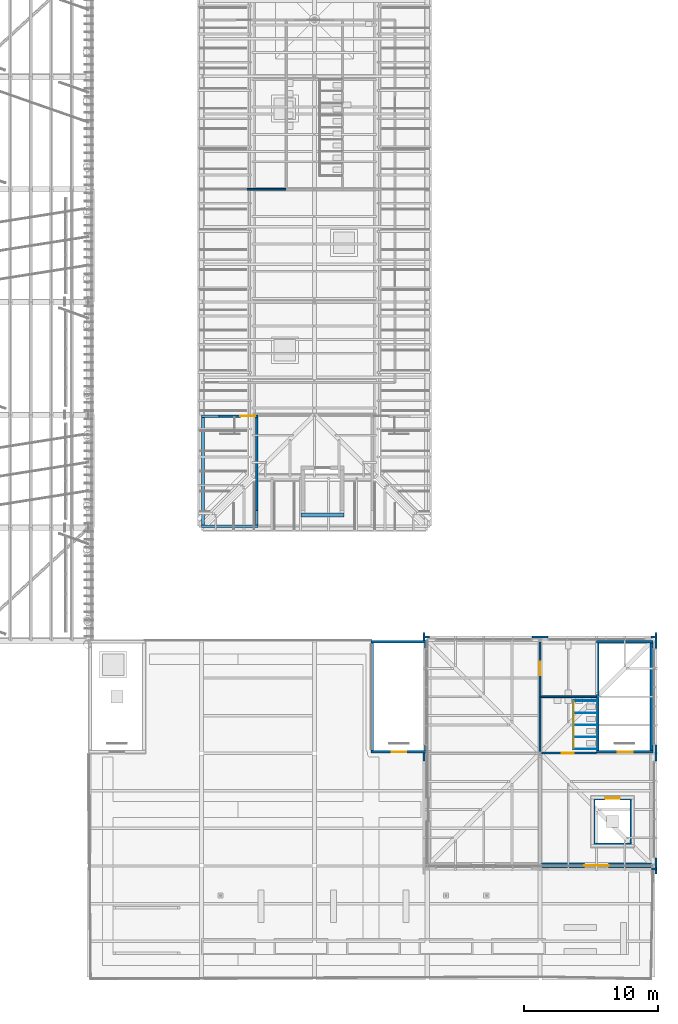
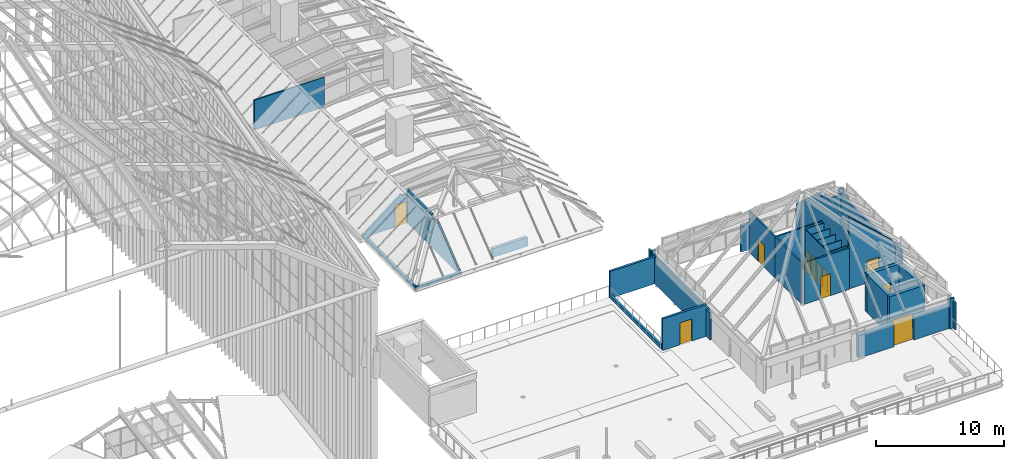
# One storey, part 80 of 126: 38 walls, 11 doors, 11 openings.
"""IFC4 building model written with IfcOpenShell, lengths in metres."""

from ifc_helpers import new_model, si_unit, direction, frame, frame_2d, origin, place, context, subcontext, project, spatial, polyline, rectangle, outline, extrude, material, layer, layer_set, type_object, element, fill, save


model = new_model("IFC4")

# Units and contexts
model_context = context("Model", 3, precision=1e-05, world=origin(), true_north=direction((0.0, 1.0)))
body_context = subcontext(model_context, "Body", "Model", "MODEL_VIEW")
ifc_project = project(units=[si_unit("LENGTHUNIT", "METRE"), si_unit("AREAUNIT", "SQUARE_METRE"), si_unit("VOLUMEUNIT", "CUBIC_METRE"), si_unit("PLANEANGLEUNIT", "RADIAN"), si_unit("MASSUNIT", "GRAM", prefix="KILO")], contexts=[model_context])

# Site, building, storey
site_placement = place(None, origin())
site = spatial("IfcSite", under=ifc_project, at=site_placement, CompositionType="ELEMENT")
building_placement = place(site_placement, origin())
building = spatial("IfcBuilding", under=site, at=building_placement, Name="Sava Quay Ferry Terminal", CompositionType="ELEMENT")
storey_placement = place(building_placement, frame((0.0, 0.0, 15.0)))
storey = spatial("IfcBuildingStorey", under=building, at=storey_placement, Name="L03", CompositionType="ELEMENT", Elevation=15.0)

# Wall, openings, doors
ifc_material_1 = material(Name="High-pressure laminate panel")
ifc_layer_1 = layer(ifc_material_1, 0.050048828125)
ifc_layer_set_1 = layer_set([ifc_layer_1], Name="High-pressure laminate panel")
wall_type_1 = type_object("IfcWallType", Name="Cubicle partition 50", PredefinedType="PARTITIONING", material=ifc_layer_set_1)
wall_1_placement = place(storey_placement, frame((120.10009765625, 42.300048828125, 0.0), z_axis=(0.0, 0.0, 1.0), x_axis=(0.0, 1.0, 0.0)))
wall_1 = element("IfcWall", 1, at=wall_1_placement, inside=storey, type_object=wall_type_1, Name="Cubicle partition panel", PredefinedType="PARTITIONING", context=body_context, shape_type="SweptSolid", body=[
    extrude(rectangle(XDim=3.599853515625, YDim=0.050048828125, at=frame_2d((1.7998046875, 0.0))), origin(), (0.0, 0.0, 1.0), 3.949951171875),
])
opening_1_placement = place(wall_1_placement, frame((0.050048828125, 0.0, 0.0)))
opening_1 = element("IfcOpeningElement", 2, at=opening_1_placement, cuts=wall_1, Name="Opening CD093", PredefinedType="OPENING", context=body_context, shape_type="SweptSolid", body=[
    extrude(rectangle(XDim=0.800048828125, YDim=2.0, at=frame_2d((0.39990234375, 1.0))), frame((0.0, 0.02490234375, 0.0), z_axis=(0.0, -1.0, 0.0), x_axis=(1.0, 0.0, 0.0)), (0.0, 0.0, 1.0), 0.050048828125),
])
opening_2_placement = place(wall_1_placement, frame((0.949951171875, 0.0, 0.0)))
opening_2 = element("IfcOpeningElement", 3, at=opening_2_placement, cuts=wall_1, Name="Opening CD094", PredefinedType="OPENING", context=body_context, shape_type="SweptSolid", body=[
    extrude(rectangle(XDim=0.800048828125, YDim=2.0, at=frame_2d((0.39990234375, 1.0))), frame((0.0, 0.02490234375, 0.0), z_axis=(0.0, -1.0, 0.0), x_axis=(1.0, 0.0, 0.0)), (0.0, 0.0, 1.0), 0.050048828125),
])
opening_3_placement = place(wall_1_placement, frame((1.85009765625, 0.0, 0.0)))
opening_3 = element("IfcOpeningElement", 4, at=opening_3_placement, cuts=wall_1, Name="Opening CD095", PredefinedType="OPENING", context=body_context, shape_type="SweptSolid", body=[
    extrude(rectangle(XDim=0.800048828125, YDim=2.0, at=frame_2d((0.39990234375, 1.0))), frame((0.0, 0.02490234375, 0.0), z_axis=(0.0, -1.0, 0.0), x_axis=(1.0, 0.0, 0.0)), (0.0, 0.0, 1.0), 0.050048828125),
])
opening_4_placement = place(wall_1_placement, frame((2.75, 0.0, 0.0)))
opening_4 = element("IfcOpeningElement", 5, at=opening_4_placement, cuts=wall_1, Name="Opening CD096", PredefinedType="OPENING", context=body_context, shape_type="SweptSolid", body=[
    extrude(rectangle(XDim=0.800048828125, YDim=2.0, at=frame_2d((0.39990234375, 1.0))), frame((0.0, 0.02490234375, 0.0), z_axis=(0.0, -1.0, 0.0), x_axis=(1.0, 0.0, 0.0)), (0.0, 0.0, 1.0), 0.050048828125),
])
ifc_material_2 = material(Name="Laminate door set")
door_type_1 = type_object("IfcDoorType", Name="Cubicle door 800 x 2000", OperationType="NOTDEFINED", PredefinedType="DOOR", material=ifc_material_2)
door_1_placement = place(opening_1_placement, origin())
door_1 = element("IfcDoor", 6, at=door_1_placement, inside=storey, type_object=door_type_1, Name="Cubicle door", OperationType="SINGLE_SWING_RIGHT", OverallHeight=2.0, OverallWidth=0.800048828125, PredefinedType="DOOR", context=body_context, shape_type="SweptSolid", body=[
    extrude(rectangle(XDim=0.800048828125, YDim=2.0, at=frame_2d((0.39990234375, 1.0))), frame((0.0, 0.02490234375, 0.0), z_axis=(0.0, -1.0, 0.0), x_axis=(1.0, 0.0, 0.0)), (0.0, 0.0, 1.0), 0.049560546875),
])
fill(opening_1, door_1)
door_2_placement = place(opening_2_placement, origin())
door_2 = element("IfcDoor", 7, at=door_2_placement, inside=storey, type_object=door_type_1, Name="Cubicle door", OperationType="SINGLE_SWING_LEFT", OverallHeight=2.0, OverallWidth=0.800048828125, PredefinedType="DOOR", context=body_context, shape_type="SweptSolid", body=[
    extrude(rectangle(XDim=0.800048828125, YDim=2.0, at=frame_2d((0.39990234375, 1.0))), frame((0.0, 0.02490234375, 0.0), z_axis=(0.0, -1.0, 0.0), x_axis=(1.0, 0.0, 0.0)), (0.0, 0.0, 1.0), 0.049560546875),
])
fill(opening_2, door_2)
door_3_placement = place(opening_3_placement, origin())
door_3 = element("IfcDoor", 8, at=door_3_placement, inside=storey, type_object=door_type_1, Name="Cubicle door", OperationType="SINGLE_SWING_RIGHT", OverallHeight=2.0, OverallWidth=0.800048828125, PredefinedType="DOOR", context=body_context, shape_type="SweptSolid", body=[
    extrude(rectangle(XDim=0.800048828125, YDim=2.0, at=frame_2d((0.39990234375, 1.0))), frame((0.0, 0.02490234375, 0.0), z_axis=(0.0, -1.0, 0.0), x_axis=(1.0, 0.0, 0.0)), (0.0, 0.0, 1.0), 0.049560546875),
])
fill(opening_3, door_3)
door_4_placement = place(opening_4_placement, origin())
door_4 = element("IfcDoor", 9, at=door_4_placement, inside=storey, type_object=door_type_1, Name="Cubicle door", OperationType="SINGLE_SWING_LEFT", OverallHeight=2.0, OverallWidth=0.800048828125, PredefinedType="DOOR", context=body_context, shape_type="SweptSolid", body=[
    extrude(rectangle(XDim=0.800048828125, YDim=2.0, at=frame_2d((0.39990234375, 1.0))), frame((0.0, 0.02490234375, 0.0), z_axis=(0.0, -1.0, 0.0), x_axis=(1.0, 0.0, 0.0)), (0.0, 0.0, 1.0), 0.049560546875),
])
fill(opening_4, door_4)

# Walls
for number, where, z_axis, x_axis, name in (
    (10, (121.800048828125, 42.300048828125, 0.0), (0.0, 0.0, 1.0), (-1.0, 0.0, 0.0), "Cubicle partition panel"),
    (11, (121.800048828125, 43.199951171875, 0.0), (0.0, 0.0, 1.0), (-1.0, 0.0, 0.0), "Cubicle partition panel"),
    (12, (121.800048828125, 44.10009765625, 0.0), (0.0, 0.0, 1.0), (-1.0, 0.0, 0.0), "Cubicle partition panel"),
    (13, (121.800048828125, 45.0, 0.0), (0.0, 0.0, 1.0), (-1.0, 0.0, 0.0), "Cubicle partition panel"),
    (14, (121.800048828125, 45.89990234375, 0.0), (0.0, 0.0, 1.0), (-1.0, 0.0, 0.0), "Cubicle partition panel"),
):
    element("IfcWall", number, at=place(storey_placement, frame(where, z_axis=z_axis, x_axis=x_axis)), inside=storey, type_object=wall_type_1, Name=name, PredefinedType="PARTITIONING", context=body_context, shape_type="SweptSolid", body=[
        extrude(rectangle(XDim=1.699951171875, YDim=0.050048828125, at=frame_2d((0.85009765625, 0.0))), origin(), (0.0, 0.0, 1.0), 3.949951171875),
    ])
ifc_material_3 = material(Name="Limestone Mutalj", Category="masonry")
ifc_layer_2 = layer(ifc_material_3, 0.14990234375)
ifc_layer_set_2 = layer_set([ifc_layer_2], Name="Limestone Mutalj")
wall_type_2 = type_object("IfcWallType", Name="Pier cladding 150", PredefinedType="SOLIDWALL", material=ifc_layer_set_2)
wall_2_placement = place(storey_placement, frame((108.89990234375, 50.635009765625, 0.0), z_axis=(0.0, 0.0, 1.0), x_axis=(1.0, 0.0, 0.0)))
element("IfcWall", 15, at=wall_2_placement, inside=storey, type_object=wall_type_2, Name="Pier P-N-PAV grid 109.2", PredefinedType="SOLIDWALL", context=body_context, shape_type="SweptSolid", body=[
    extrude(rectangle(XDim=0.4501953125, YDim=0.14990234375, at=frame_2d((0.22509765625, 0.0))), origin(), (0.0, 0.0, 1.0), 2.89990234375),
])
wall_3_placement = place(storey_placement, frame((117.0, 50.635009765625, 0.0), z_axis=(0.0, 0.0, 1.0), x_axis=(1.0, 0.0, 0.0)))
element("IfcWall", 16, at=wall_3_placement, inside=storey, type_object=wall_type_2, Name="Pier P-N-PAV grid 117.6", PredefinedType="SOLIDWALL", context=body_context, shape_type="SweptSolid", body=[
    extrude(rectangle(XDim=1.199951171875, YDim=0.14990234375, at=frame_2d((0.60009765625, 0.0))), origin(), (0.0, 0.0, 1.0), 2.60986328125),
])
wall_4_placement = place(storey_placement, frame((125.85009765625, 50.635009765625, 0.0), z_axis=(0.0, 0.0, 1.0), x_axis=(1.0, 0.0, 0.0)))
element("IfcWall", 17, at=wall_4_placement, inside=storey, type_object=wall_type_2, Name="Pier P-N-PAV grid 126", PredefinedType="SOLIDWALL", context=body_context, shape_type="SweptSolid", body=[
    extrude(rectangle(XDim=0.449951171875, YDim=0.14990234375, at=frame_2d((0.22509765625, 0.0))), origin(), (0.0, 0.0, 1.0), 2.89990234375),
])
wall_5_placement = place(storey_placement, frame((126.22509765625, 33.0, 0.0), z_axis=(0.0, 0.0, 1.0), x_axis=(0.0, 1.0, 0.0)))
element("IfcWall", 18, at=wall_5_placement, inside=storey, type_object=wall_type_2, Name="Pier P-E-PAV grid 33.6", PredefinedType="SOLIDWALL", context=body_context, shape_type="SweptSolid", body=[
    extrude(rectangle(XDim=1.199951171875, YDim=0.14990234375, at=frame_2d((0.60009765625, 0.0))), origin(), (0.0, 0.0, 1.0), 2.60986328125),
])
wall_6_placement = place(storey_placement, frame((126.22509765625, 41.39990234375, 0.0), z_axis=(0.0, 0.0, 1.0), x_axis=(0.0, 1.0, 0.0)))
element("IfcWall", 19, at=wall_6_placement, inside=storey, type_object=wall_type_2, Name="Pier P-E-PAV grid 42", PredefinedType="SOLIDWALL", context=body_context, shape_type="SweptSolid", body=[
    extrude(rectangle(XDim=1.2001953125, YDim=0.14990234375, at=frame_2d((0.60009765625, 0.0))), origin(), (0.0, 0.0, 1.0), 2.60986328125),
])
wall_7_placement = place(storey_placement, frame((126.22509765625, 49.800048828125, 0.0), z_axis=(0.0, 0.0, 1.0), x_axis=(0.0, 1.0, 0.0)))
element("IfcWall", 20, at=wall_7_placement, inside=storey, type_object=wall_type_2, Name="Pier P-E-PAV grid 50.4", PredefinedType="SOLIDWALL", context=body_context, shape_type="SweptSolid", body=[
    extrude(rectangle(XDim=1.199951171875, YDim=0.14990234375, at=frame_2d((0.60009765625, 0.0))), origin(), (0.0, 0.0, 1.0), 2.60986328125),
])
wall_8_placement = place(storey_placement, frame((125.8798828125, 33.364990234375, 0.0), z_axis=(0.0, 0.0, 1.0), x_axis=(1.0, 0.0, 0.0)))
element("IfcWall", 21, at=wall_8_placement, inside=storey, type_object=wall_type_2, Name="Pier P-S-PAV grid 126", PredefinedType="SOLIDWALL", context=body_context, shape_type="SweptSolid", body=[
    extrude(rectangle(XDim=0.39013671875, YDim=0.14990234375, at=frame_2d((0.195068359375, 0.0))), origin(), (0.0, 0.0, 1.0), 2.89990234375),
])
wall_9_placement = place(storey_placement, frame((108.97509765625, 41.39990234375, 0.0), z_axis=(0.0, 0.0, 1.0), x_axis=(0.0, 1.0, 0.0)))
element("IfcWall", 22, at=wall_9_placement, inside=storey, type_object=wall_type_2, Name="Pier P-W-PAV grid 42", PredefinedType="SOLIDWALL", context=body_context, shape_type="SweptSolid", body=[
    extrude(rectangle(XDim=0.599609375, YDim=0.14990234375, at=frame_2d((0.2998046875, 0.0))), origin(), (0.0, 0.0, 1.0), 2.60986328125),
])
wall_10_placement = place(storey_placement, frame((108.97509765625, 50.400390625, 0.0), z_axis=(0.0, 0.0, 1.0), x_axis=(0.0, 1.0, 0.0)))
element("IfcWall", 23, at=wall_10_placement, inside=storey, type_object=wall_type_2, Name="Pier P-W-PAV grid 50.4", PredefinedType="SOLIDWALL", context=body_context, shape_type="SweptSolid", body=[
    extrude(rectangle(XDim=0.599609375, YDim=0.14990234375, at=frame_2d((0.2998046875, 0.0))), origin(), (0.0, 0.0, 1.0), 2.89990234375),
])

# Wall, opening, door
ifc_material_4 = material(Name="Masonry blockwork", Category="masonry")
ifc_layer_3 = layer(ifc_material_4, 0.14990234375)
ifc_layer_set_3 = layer_set([ifc_layer_3], Name="Masonry blockwork")
wall_type_3 = type_object("IfcWallType", Name="Plant, store and lobby wall, blockwork 150", PredefinedType="PARTITIONING", material=ifc_layer_set_3)
wall_11_placement = place(storey_placement, frame((117.719970703125, 42.0, 0.0), z_axis=(0.0, 0.0, 1.0), x_axis=(1.0, 0.0, 0.0)))
wall_11 = element("IfcWall", 24, at=wall_11_placement, inside=storey, type_object=wall_type_3, Name="Plant, store and lobby wall, blockwork 150", PredefinedType="PARTITIONING", context=body_context, shape_type="SweptSolid", body=[
    extrude(rectangle(XDim=4.080078125, YDim=0.14990234375, at=frame_2d((2.0400390625, 0.0))), origin(), (0.0, 0.0, 1.0), 3.949951171875),
])
opening_5_placement = place(wall_11_placement, frame((1.47998046875, 0.0, 0.0)))
opening_5 = element("IfcOpeningElement", 25, at=opening_5_placement, cuts=wall_11, Name="Opening D0304", PredefinedType="OPENING", context=body_context, shape_type="SweptSolid", body=[
    extrude(rectangle(XDim=0.89990234375, YDim=2.10009765625, at=frame_2d((0.449951171875, 1.050048828125))), frame((0.0, 0.074951171875, 0.0), z_axis=(0.0, -1.0, 0.0), x_axis=(1.0, 0.0, 0.0)), (0.0, 0.0, 1.0), 0.14990234375),
])
ifc_material_5 = material(Name="Laminate door set")
door_type_2 = type_object("IfcDoorType", Name="Toilet door 900 x 2100", OperationType="NOTDEFINED", PredefinedType="DOOR", material=ifc_material_5)
door_5_placement = place(opening_5_placement, origin())
door_5 = element("IfcDoor", 26, at=door_5_placement, inside=storey, type_object=door_type_2, Name="Door D0304", OperationType="SINGLE_SWING_LEFT", OverallHeight=2.10009765625, OverallWidth=0.89990234375, PredefinedType="DOOR", context=body_context, shape_type="SweptSolid", body=[
    extrude(rectangle(XDim=0.89990234375, YDim=2.10009765625, at=frame_2d((0.449951171875, 1.050048828125))), frame((0.0, 0.02490234375, 0.0), z_axis=(0.0, -1.0, 0.0), x_axis=(1.0, 0.0, 0.0)), (0.0, 0.0, 1.0), 0.050048828125),
])
fill(opening_5, door_5)

# Wall
ifc_material_6 = material(Name="Concrete C35/45", Category="concrete")
ifc_layer_4 = layer(ifc_material_6, 0.199951171875)
ifc_layer_set_4 = layer_set([ifc_layer_4], Name="Concrete C35/45")
wall_type_4 = type_object("IfcWallType", Name="RC core wall 200", PredefinedType="SHEAR", material=ifc_layer_set_4)
wall_12_placement = place(storey_placement, frame((92.39990234375, 58.89990234375, 0.0), z_axis=(0.0, 0.0, 1.0), x_axis=(1.0, 0.0, 0.0)))
element("IfcWall", 27, at=wall_12_placement, inside=storey, type_object=wall_type_4, Name="Core wall ST-O1 S L03", PredefinedType="SHEAR", context=body_context, shape_type="SweptSolid", body=[
    extrude(outline(polyline([(0.0, 0.0), (4.2001953125, 0.0), (4.199951171875, 0.300048828125), (0.0, 0.300048828125), (0.0, 0.0)])), frame((0.0, 0.10009765625, 0.0), z_axis=(0.0, -1.0, 0.0), x_axis=(1.0, 0.0, 0.0)), (0.0, 0.0, 1.0), 0.199951171875),
])

# Wall, opening, door
wall_13_placement = place(storey_placement, frame((92.39990234375, 67.10009765625, 0.0), z_axis=(0.0, 0.0, 1.0), x_axis=(1.0, 0.0, 0.0)))
wall_13 = element("IfcWall", 28, at=wall_13_placement, inside=storey, type_object=wall_type_4, Name="Core wall ST-O1 N L03", PredefinedType="SHEAR", context=body_context, shape_type="SweptSolid", body=[
    extrude(outline(polyline([(0.0, 0.0), (4.2001953125, 0.0), (4.199951171875, 3.139892578125), (3.952880859375, 2.7548828125), (3.705810546875, 2.7548828125), (3.458740234375, 2.9169921875), (0.2470703125, 0.393310546875), (0.0, 0.300048828125), (0.0, 0.0)])), frame((0.0, 0.10009765625, 0.0), z_axis=(0.0, -1.0, 0.0), x_axis=(1.0, 0.0, 0.0)), (0.0, 0.0, 1.0), 0.199951171875),
])
opening_6_placement = place(wall_13_placement, frame((2.8798828125, 0.0, 0.0)))
opening_6 = element("IfcOpeningElement", 29, at=opening_6_placement, cuts=wall_13, Name="Opening DS0304", PredefinedType="OPENING", context=body_context, shape_type="SweptSolid", body=[
    extrude(rectangle(XDim=1.10009765625, YDim=2.10009765625, at=frame_2d((0.550048828125, 1.050048828125))), frame((0.0, 0.10009765625, 0.0), z_axis=(0.0, -1.0, 0.0), x_axis=(1.0, 0.0, 0.0)), (0.0, 0.0, 1.0), 0.199951171875),
])
ifc_material_7 = material(Name="Steel fire door set", Category="steel")
door_type_3 = type_object("IfcDoorType", Name="Stair fire door 1100 x 2100", OperationType="NOTDEFINED", PredefinedType="DOOR", material=ifc_material_7)
door_6_placement = place(opening_6_placement, origin())
door_6 = element("IfcDoor", 30, at=door_6_placement, inside=storey, type_object=door_type_3, Name="Door DS0304", OperationType="SINGLE_SWING_RIGHT", OverallHeight=2.10009765625, OverallWidth=1.10009765625, PredefinedType="DOOR", context=body_context, shape_type="SweptSolid", body=[
    extrude(rectangle(XDim=1.10009765625, YDim=2.10009765625, at=frame_2d((0.550048828125, 1.050048828125))), frame((0.0, 0.02490234375, 0.0), z_axis=(0.0, -1.0, 0.0), x_axis=(1.0, 0.0, 0.0)), (0.0, 0.0, 1.0), 0.050048828125),
])
fill(opening_6, door_6)

# Walls
wall_14_placement = place(storey_placement, frame((92.5, 59.0, 0.0), z_axis=(0.0, 0.0, 1.0), x_axis=(0.0, 1.0, 0.0)))
element("IfcWall", 31, at=wall_14_placement, inside=storey, type_object=wall_type_4, Name="Core wall ST-O1 W L03", PredefinedType="SHEAR", context=body_context, shape_type="SweptSolid", body=[
    extrude(outline(polyline([(0.0, 0.0), (8.0, 0.0), (8.0, 0.300048828125), (0.0, 0.300048828125), (0.0, 0.0)])), frame((0.0, 0.10009765625, 0.0), z_axis=(0.0, -1.0, 0.0), x_axis=(1.0, 0.0, 0.0)), (0.0, 0.0, 1.0), 0.199951171875),
])
wall_15_placement = place(storey_placement, frame((96.5, 59.0, 0.0), z_axis=(0.0, 0.0, 1.0), x_axis=(0.0, 1.0, 0.0)))
element("IfcWall", 32, at=wall_15_placement, inside=storey, type_object=wall_type_4, Name="Core wall ST-O1 E L03", PredefinedType="SHEAR", context=body_context, shape_type="SweptSolid", body=[
    extrude(outline(polyline([(0.0, 0.0), (8.0, 0.0), (8.0, 3.114013671875), (4.25, 3.114013671875), (4.0, 2.7919921875), (3.75, 2.7548828125), (3.5, 2.7548828125), (3.25, 2.909912109375), (0.0, 0.3564453125), (0.0, 0.0)])), frame((0.0, 0.10009765625, 0.0), z_axis=(0.0, -1.0, 0.0), x_axis=(1.0, 0.0, 0.0)), (0.0, 0.0, 1.0), 0.199951171875),
])

# Wall, opening, door
wall_16_placement = place(storey_placement, frame((121.800048828125, 42.10009765625, 0.0), z_axis=(0.0, 0.0, 1.0), x_axis=(1.0, 0.0, 0.0)))
wall_16 = element("IfcWall", 33, at=wall_16_placement, inside=storey, type_object=wall_type_4, Name="Core wall ST-P2 S L03", PredefinedType="SHEAR", context=body_context, shape_type="SweptSolid", body=[
    extrude(outline(polyline([(0.0, 0.0), (4.199951171875, 0.0), (4.199951171875, 2.571533203125), (3.952880859375, 3.249267578125), (0.0, 6.808349609375), (0.0, 0.0)])), frame((0.0, 0.10009765625, 0.0), z_axis=(0.0, -1.0, 0.0), x_axis=(1.0, 0.0, 0.0)), (0.0, 0.0, 1.0), 0.199951171875),
])
opening_7_placement = place(wall_16_placement, frame((1.60009765625, 0.0, 0.0)))
opening_7 = element("IfcOpeningElement", 34, at=opening_7_placement, cuts=wall_16, Name="Opening DS0303", PredefinedType="OPENING", context=body_context, shape_type="SweptSolid", body=[
    extrude(rectangle(XDim=1.10009765625, YDim=2.10009765625, at=frame_2d((0.550048828125, 1.050048828125))), frame((0.0, 0.10009765625, 0.0), z_axis=(0.0, -1.0, 0.0), x_axis=(1.0, 0.0, 0.0)), (0.0, 0.0, 1.0), 0.199951171875),
])
door_7_placement = place(opening_7_placement, origin())
door_7 = element("IfcDoor", 35, at=door_7_placement, inside=storey, type_object=door_type_3, Name="Door DS0303", OperationType="SINGLE_SWING_RIGHT", OverallHeight=2.10009765625, OverallWidth=1.10009765625, PredefinedType="DOOR", context=body_context, shape_type="SweptSolid", body=[
    extrude(rectangle(XDim=1.10009765625, YDim=2.10009765625, at=frame_2d((0.550048828125, 1.050048828125))), frame((0.0, 0.02490234375, 0.0), z_axis=(0.0, -1.0, 0.0), x_axis=(1.0, 0.0, 0.0)), (0.0, 0.0, 1.0), 0.050048828125),
])
fill(opening_7, door_7)

# Walls
wall_17_placement = place(storey_placement, frame((121.800048828125, 50.300048828125, 0.0), z_axis=(0.0, 0.0, 1.0), x_axis=(1.0, 0.0, 0.0)))
element("IfcWall", 36, at=wall_17_placement, inside=storey, type_object=wall_type_4, Name="Core wall ST-P2 N L03", PredefinedType="SHEAR", context=body_context, shape_type="SweptSolid", body=[
    extrude(outline(polyline([(0.0, 0.0), (4.199951171875, 0.0), (4.199951171875, 2.571533203125), (0.0, 2.571533203125), (0.0, 0.0)])), frame((0.0, 0.10009765625, 0.0), z_axis=(0.0, -1.0, 0.0), x_axis=(1.0, 0.0, 0.0)), (0.0, 0.0, 1.0), 0.199951171875),
])
wall_18_placement = place(storey_placement, frame((121.89990234375, 42.199951171875, 0.0), z_axis=(0.0, 0.0, 1.0), x_axis=(0.0, 1.0, 0.0)))
element("IfcWall", 37, at=wall_18_placement, inside=storey, type_object=wall_type_4, Name="Core wall ST-P2 W L03", PredefinedType="SHEAR", context=body_context, shape_type="SweptSolid", body=[
    extrude(outline(polyline([(0.0, 0.0), (8.0, 0.0), (8.0, 3.206787109375), (4.5, 6.358154296875), (4.25, 6.150634765625), (4.0, 6.26318359375), (3.75, 6.62841796875), (0.0, 6.62841796875), (0.0, 0.0)])), frame((0.0, 0.10009765625, 0.0), z_axis=(0.0, -1.0, 0.0), x_axis=(1.0, 0.0, 0.0)), (0.0, 0.0, 1.0), 0.199951171875),
])
wall_19_placement = place(storey_placement, frame((125.89990234375, 42.199951171875, 0.0), z_axis=(0.0, 0.0, 1.0), x_axis=(0.0, 1.0, 0.0)))
element("IfcWall", 38, at=wall_19_placement, inside=storey, type_object=wall_type_4, Name="Core wall ST-P2 E L03", PredefinedType="SHEAR", context=body_context, shape_type="SweptSolid", body=[
    extrude(outline(polyline([(0.0, 0.0), (8.0, 0.0), (8.0, 2.571533203125), (0.0, 2.571533203125), (0.0, 0.0)])), frame((0.0, 0.10009765625, 0.0), z_axis=(0.0, -1.0, 0.0), x_axis=(1.0, 0.0, 0.0)), (0.0, 0.0, 1.0), 0.199951171875),
])

# Wall, opening, door
wall_20_placement = place(storey_placement, frame((105.0, 42.10009765625, 0.0), z_axis=(0.0, 0.0, 1.0), x_axis=(1.0, 0.0, 0.0)))
wall_20 = element("IfcWall", 39, at=wall_20_placement, inside=storey, type_object=wall_type_4, Name="Core wall ST-P3 S L03", PredefinedType="SHEAR", context=body_context, shape_type="SweptSolid", body=[
    extrude(outline(polyline([(0.0, 0.0), (4.199951171875, 0.0), (4.199951171875, 2.571533203125), (3.952880859375, 3.019775390625), (0.0, 3.019775390625), (0.0, 0.0)])), frame((0.0, 0.10009765625, 0.0), z_axis=(0.0, -1.0, 0.0), x_axis=(1.0, 0.0, 0.0)), (0.0, 0.0, 1.0), 0.199951171875),
])
opening_8_placement = place(wall_20_placement, frame((1.550048828125, 0.0, 0.0)))
opening_8 = element("IfcOpeningElement", 40, at=opening_8_placement, cuts=wall_20, Name="Opening DH0303", PredefinedType="OPENING", context=body_context, shape_type="SweptSolid", body=[
    extrude(rectangle(XDim=1.10009765625, YDim=2.10009765625, at=frame_2d((0.550048828125, 1.050048828125))), frame((0.0, 0.10009765625, 0.0), z_axis=(0.0, -1.0, 0.0), x_axis=(1.0, 0.0, 0.0)), (0.0, 0.0, 1.0), 0.199951171875),
])
door_8_placement = place(opening_8_placement, origin())
door_8 = element("IfcDoor", 41, at=door_8_placement, inside=storey, type_object=door_type_3, Name="Door DH0303", OperationType="SINGLE_SWING_RIGHT", OverallHeight=2.10009765625, OverallWidth=1.10009765625, PredefinedType="DOOR", context=body_context, shape_type="SweptSolid", body=[
    extrude(rectangle(XDim=1.10009765625, YDim=2.10009765625, at=frame_2d((0.550048828125, 1.050048828125))), frame((0.0, 0.02490234375, 0.0), z_axis=(0.0, -1.0, 0.0), x_axis=(1.0, 0.0, 0.0)), (0.0, 0.0, 1.0), 0.050048828125),
])
fill(opening_8, door_8)

# Walls
wall_21_placement = place(storey_placement, frame((105.0, 50.300048828125, 0.0), z_axis=(0.0, 0.0, 1.0), x_axis=(1.0, 0.0, 0.0)))
element("IfcWall", 42, at=wall_21_placement, inside=storey, type_object=wall_type_4, Name="Core wall ST-P3 N L03", PredefinedType="SHEAR", context=body_context, shape_type="SweptSolid", body=[
    extrude(outline(polyline([(0.0, 0.0), (4.199951171875, 0.0), (4.199951171875, 2.571533203125), (0.0, 2.571533203125), (0.0, 0.0)])), frame((0.0, 0.10009765625, 0.0), z_axis=(0.0, -1.0, 0.0), x_axis=(1.0, 0.0, 0.0)), (0.0, 0.0, 1.0), 0.199951171875),
])
wall_22_placement = place(storey_placement, frame((105.10009765625, 42.199951171875, 0.0), z_axis=(0.0, 0.0, 1.0), x_axis=(0.0, 1.0, 0.0)))
element("IfcWall", 43, at=wall_22_placement, inside=storey, type_object=wall_type_4, Name="Core wall ST-P3 W L03", PredefinedType="SHEAR", context=body_context, shape_type="SweptSolid", body=[
    extrude(outline(polyline([(0.0, 0.0), (8.0, 0.0), (8.0, 0.300048828125), (0.0, 0.300048828125), (0.0, 0.0)])), frame((0.0, 0.10009765625, 0.0), z_axis=(0.0, -1.0, 0.0), x_axis=(1.0, 0.0, 0.0)), (0.0, 0.0, 1.0), 0.199951171875),
])
wall_23_placement = place(storey_placement, frame((109.10009765625, 42.199951171875, 0.0), z_axis=(0.0, 0.0, 1.0), x_axis=(0.0, 1.0, 0.0)))
element("IfcWall", 44, at=wall_23_placement, inside=storey, type_object=wall_type_4, Name="Core wall ST-P3 E L03", PredefinedType="SHEAR", context=body_context, shape_type="SweptSolid", body=[
    extrude(outline(polyline([(0.0, 0.0), (8.0, 0.0), (8.0, 2.571533203125), (0.0, 2.571533203125), (0.0, 0.0)])), frame((0.0, 0.10009765625, 0.0), z_axis=(0.0, -1.0, 0.0), x_axis=(1.0, 0.0, 0.0)), (0.0, 0.0, 1.0), 0.199951171875),
])
ifc_material_8 = material(Name="Concrete C35/45", Category="concrete")
ifc_layer_5 = layer(ifc_material_8, 0.300048828125)
ifc_layer_set_5 = layer_set([ifc_layer_5], Name="Concrete C35/45")
wall_type_5 = type_object("IfcWallType", Name="RC core wall 300", PredefinedType="SHEAR", material=ifc_layer_set_5)
wall_24_placement = place(storey_placement, frame((121.39990234375, 35.14990234375, 0.0), z_axis=(0.0, 0.0, 1.0), x_axis=(1.0, 0.0, 0.0)))
element("IfcWall", 45, at=wall_24_placement, inside=storey, type_object=wall_type_5, Name="Core wall LF-P2 S L03", PredefinedType="SHEAR", context=body_context, shape_type="SweptSolid", body=[
    extrude(rectangle(XDim=3.2001953125, YDim=0.300048828125, at=frame_2d((1.60009765625, 0.0))), origin(), (0.0, 0.0, 1.0), 3.6298828125),
])

# Wall, opening, door
wall_25_placement = place(storey_placement, frame((121.39990234375, 38.64990234375, 0.0), z_axis=(0.0, 0.0, 1.0), x_axis=(1.0, 0.0, 0.0)))
wall_25 = element("IfcWall", 46, at=wall_25_placement, inside=storey, type_object=wall_type_5, Name="Core wall LF-P2 N L03", PredefinedType="SHEAR", context=body_context, shape_type="SweptSolid", body=[
    extrude(rectangle(XDim=3.2001953125, YDim=0.300048828125, at=frame_2d((1.60009765625, 0.0))), origin(), (0.0, 0.0, 1.0), 3.6298828125),
])
opening_9_placement = place(wall_25_placement, frame((1.050048828125, 0.0, 0.0)))
opening_9 = element("IfcOpeningElement", 47, at=opening_9_placement, cuts=wall_25, Name="Opening LD0302", PredefinedType="OPENING", context=body_context, shape_type="SweptSolid", body=[
    extrude(rectangle(XDim=1.10009765625, YDim=2.10009765625, at=frame_2d((0.550048828125, 1.050048828125))), frame((0.0, 0.14990234375, 0.0), z_axis=(0.0, -1.0, 0.0), x_axis=(1.0, 0.0, 0.0)), (0.0, 0.0, 1.0), 0.300048828125),
])
ifc_material_9 = material(Name="Stainless steel", Category="steel")
door_type_4 = type_object("IfcDoorType", Name="Lift landing door 1100 x 2100", OperationType="NOTDEFINED", PredefinedType="DOOR", material=ifc_material_9)
door_9_placement = place(opening_9_placement, origin())
door_9 = element("IfcDoor", 48, at=door_9_placement, inside=storey, type_object=door_type_4, Name="Door LD0302", OperationType="SLIDING_TO_RIGHT", OverallHeight=2.10009765625, OverallWidth=1.10009765625, PredefinedType="DOOR", context=body_context, shape_type="SweptSolid", body=[
    extrude(rectangle(XDim=1.10009765625, YDim=2.10009765625, at=frame_2d((0.550048828125, 1.050048828125))), frame((0.0, 0.02490234375, 0.0), z_axis=(0.0, -1.0, 0.0), x_axis=(1.0, 0.0, 0.0)), (0.0, 0.0, 1.0), 0.050048828125),
])
fill(opening_9, door_9)

# Walls
for number, where, z_axis, x_axis, name in (
    (49, (121.550048828125, 35.300048828125, 0.0), (0.0, 0.0, 1.0), (0.0, 1.0, 0.0), "Core wall LF-P2 W L03"),
    (50, (124.449951171875, 35.300048828125, 0.0), (0.0, 0.0, 1.0), (0.0, 1.0, 0.0), "Core wall LF-P2 E L03"),
):
    element("IfcWall", number, at=place(storey_placement, frame(where, z_axis=z_axis, x_axis=x_axis)), inside=storey, type_object=wall_type_5, Name=name, PredefinedType="SHEAR", context=body_context, shape_type="SweptSolid", body=[
        extrude(rectangle(XDim=3.199951171875, YDim=0.300048828125, at=frame_2d((1.60009765625, 0.0))), origin(), (0.0, 0.0, 1.0), 3.6298828125),
    ])
wall_26_placement = place(storey_placement, frame((99.800048828125, 59.75, 0.0), z_axis=(0.0, 0.0, 1.0), x_axis=(1.0, 0.0, 0.0)))
element("IfcWall", 51, at=wall_26_placement, inside=storey, type_object=wall_type_5, Name="Core wall LF-O1 S L03", PredefinedType="SHEAR", context=body_context, shape_type="SweptSolid", body=[
    extrude(outline(polyline([(0.0, 0.0), (3.199951171875, 0.0), (3.199951171875, 0.827880859375), (0.0, 0.827880859375), (0.0, 0.0)])), frame((0.0, 0.14990234375, 0.0), z_axis=(0.0, -1.0, 0.0), x_axis=(1.0, 0.0, 0.0)), (0.0, 0.0, 1.0), 0.300048828125),
])
ifc_material_10 = material(Name="Plasterboard on steel studs", Category="steel")
ifc_layer_6 = layer(ifc_material_10, 0.125)
ifc_layer_set_6 = layer_set([ifc_layer_6], Name="Plasterboard on steel studs")
wall_type_6 = type_object("IfcWallType", Name="Room partition, plasterboard on steel studs 125", PredefinedType="PARTITIONING", material=ifc_layer_set_6)
wall_27_placement = place(storey_placement, frame((92.39990234375, 84.0, 0.0), z_axis=(0.0, 0.0, 1.0), x_axis=(1.0, 0.0, 0.0)))
element("IfcWall", 52, at=wall_27_placement, inside=storey, type_object=wall_type_6, Name="Room partition, plasterboard on steel studs 125", PredefinedType="PARTITIONING", context=body_context, shape_type="SweptSolid", body=[
    extrude(rectangle(XDim=6.300048828125, YDim=0.125, at=frame_2d((3.14990234375, 0.0))), origin(), (0.0, 0.0, 1.0), 2.85009765625),
])

# Wall, opening, door
ifc_material_11 = material(Name="Sandstone Bela Voda", Category="masonry")
ifc_layer_7 = layer(ifc_material_11, 0.39990234375)
ifc_layer_set_7 = layer_set([ifc_layer_7], Name="Sandstone Bela Voda")
wall_type_7 = type_object("IfcWallType", Name="Sandstone ashlar infill 400", PredefinedType="SOLIDWALL", material=ifc_layer_set_7)
wall_28_placement = place(storey_placement, frame((117.719970703125, 33.639892578125, 0.0), z_axis=(0.0, 0.0, 1.0), x_axis=(1.0, 0.0, 0.0)))
wall_28 = element("IfcWall", 53, at=wall_28_placement, inside=storey, type_object=wall_type_7, Name="External wall P-S-PAV", PredefinedType="SOLIDWALL", context=body_context, shape_type="SweptSolid", body=[
    extrude(rectangle(XDim=8.159912109375, YDim=0.39990234375, at=frame_2d((4.080078125, 0.0))), origin(), (0.0, 0.0, 1.0), 2.14990234375),
])
opening_10_placement = place(wall_28_placement, frame((3.179931640625, 0.0, 0.0)))
opening_10 = element("IfcOpeningElement", 54, at=opening_10_placement, cuts=wall_28, Name="Opening DTP2", PredefinedType="OPENING", context=body_context, shape_type="SweptSolid", body=[
    extrude(rectangle(XDim=1.800048828125, YDim=2.39990234375, at=frame_2d((0.89990234375, 1.199951171875))), frame((0.0, 0.199951171875, 0.0), z_axis=(0.0, -1.0, 0.0), x_axis=(1.0, 0.0, 0.0)), (0.0, 0.0, 1.0), 0.39990234375),
])
ifc_material_12 = material(Name="Aluminium bronze anodised, glazing safety laminated", Category="aluminium")
door_type_5 = type_object("IfcDoorType", Name="Exit double door 1800x2400", OperationType="DOUBLE_DOOR_SINGLE_SWING", PredefinedType="DOOR", material=ifc_material_12)
door_10_placement = place(opening_10_placement, origin())
door_10 = element("IfcDoor", 55, at=door_10_placement, inside=storey, type_object=door_type_5, Name="Door DTP2", OperationType="DOUBLE_DOOR_SINGLE_SWING", OverallHeight=2.39990234375, OverallWidth=1.800048828125, PredefinedType="DOOR", context=body_context, shape_type="SweptSolid", body=[
    extrude(rectangle(XDim=1.800048828125, YDim=2.39990234375, at=frame_2d((0.89990234375, 1.199951171875))), frame((0.0, 0.02490234375, 0.0), z_axis=(0.0, -1.0, 0.0), x_axis=(1.0, 0.0, 0.0)), (0.0, 0.0, 1.0), 0.050048828125),
])
fill(opening_10, door_10)

# Wall
ifc_material_13 = material(Name="Moisture-resistant board on steel studs", Category="steel")
ifc_layer_8 = layer(ifc_material_13, 0.125)
ifc_layer_set_8 = layer_set([ifc_layer_8], Name="Moisture-resistant board on steel studs")
wall_type_8 = type_object("IfcWallType", Name="Toilet partition, moisture-resistant board 125", PredefinedType="PARTITIONING", material=ifc_layer_set_8)
wall_29_placement = place(storey_placement, frame((117.60009765625, 42.1201171875, 0.0), z_axis=(0.0, 0.0, 1.0), x_axis=(0.0, 1.0, 0.0)))
element("IfcWall", 56, at=wall_29_placement, inside=storey, type_object=wall_type_8, Name="Toilet partition, moisture-resistant board 125", PredefinedType="PARTITIONING", context=body_context, shape_type="SweptSolid", body=[
    extrude(rectangle(XDim=4.079833984375, YDim=0.125, at=frame_2d((2.0400390625, 0.0))), origin(), (0.0, 0.0, 1.0), 3.949951171875),
])

# Wall, opening, door
wall_30_placement = place(storey_placement, frame((117.60009765625, 46.199951171875, 0.0), z_axis=(0.0, 0.0, 1.0), x_axis=(0.0, 1.0, 0.0)))
wall_30 = element("IfcWall", 57, at=wall_30_placement, inside=storey, type_object=wall_type_8, Name="Toilet partition, moisture-resistant board 125", PredefinedType="PARTITIONING", context=body_context, shape_type="SweptSolid", body=[
    extrude(rectangle(XDim=4.080078125, YDim=0.125, at=frame_2d((2.0400390625, 0.0))), origin(), (0.0, 0.0, 1.0), 3.949951171875),
])
opening_11_placement = place(wall_30_placement, frame((1.60009765625, 0.0, 0.0)))
opening_11 = element("IfcOpeningElement", 58, at=opening_11_placement, cuts=wall_30, Name="Opening D0305", PredefinedType="OPENING", context=body_context, shape_type="SweptSolid", body=[
    extrude(rectangle(XDim=1.0, YDim=2.10009765625, at=frame_2d((0.5, 1.050048828125))), frame((0.0, 0.0625, 0.0), z_axis=(0.0, -1.0, 0.0), x_axis=(1.0, 0.0, 0.0)), (0.0, 0.0, 1.0), 0.125),
])
ifc_material_14 = material(Name="Laminate door set")
door_type_6 = type_object("IfcDoorType", Name="Accessible toilet door 1000 x 2100", OperationType="NOTDEFINED", PredefinedType="DOOR", material=ifc_material_14)
door_11_placement = place(opening_11_placement, origin())
door_11 = element("IfcDoor", 59, at=door_11_placement, inside=storey, type_object=door_type_6, Name="Door D0305", OperationType="SINGLE_SWING_RIGHT", OverallHeight=2.10009765625, OverallWidth=1.0, PredefinedType="DOOR", context=body_context, shape_type="SweptSolid", body=[
    extrude(rectangle(XDim=1.0, YDim=2.10009765625, at=frame_2d((0.5, 1.050048828125))), frame((0.0, 0.02490234375, 0.0), z_axis=(0.0, -1.0, 0.0), x_axis=(1.0, 0.0, 0.0)), (0.0, 0.0, 1.0), 0.050048828125),
])
fill(opening_11, door_11)

# Wall
wall_31_placement = place(storey_placement, frame((117.60009765625, 46.199951171875, 0.0), z_axis=(0.0, 0.0, 1.0), x_axis=(1.0, 0.0, 0.0)))
element("IfcWall", 60, at=wall_31_placement, inside=storey, type_object=wall_type_8, Name="Toilet partition, moisture-resistant board 125", PredefinedType="PARTITIONING", context=body_context, shape_type="SweptSolid", body=[
    extrude(rectangle(XDim=4.199951171875, YDim=0.125, at=frame_2d((2.10009765625, 0.0))), origin(), (0.0, 0.0, 1.0), 3.949951171875),
])

save(model, "model.ifc")
